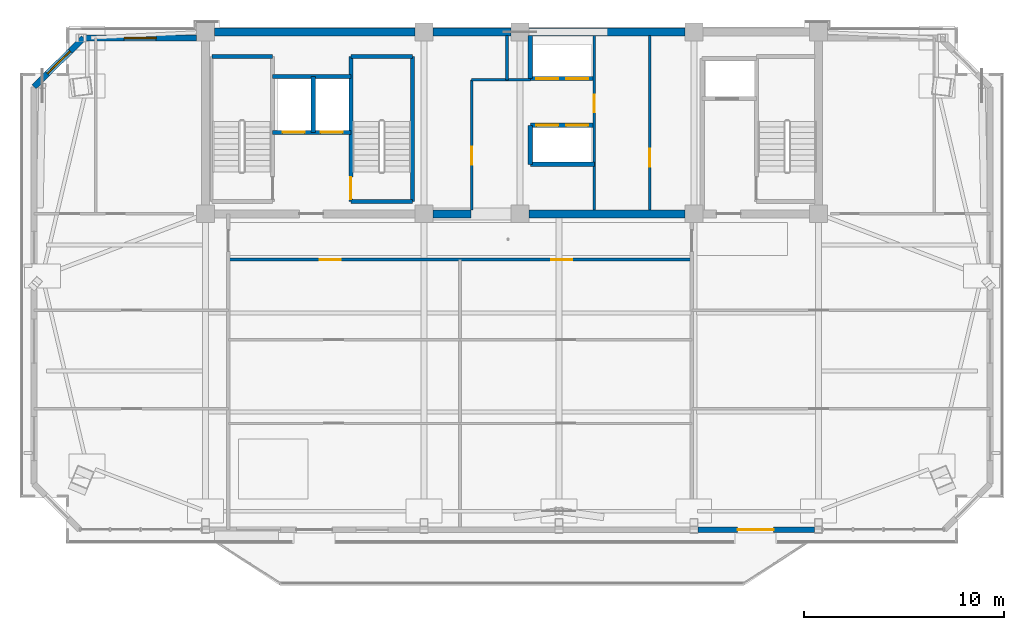
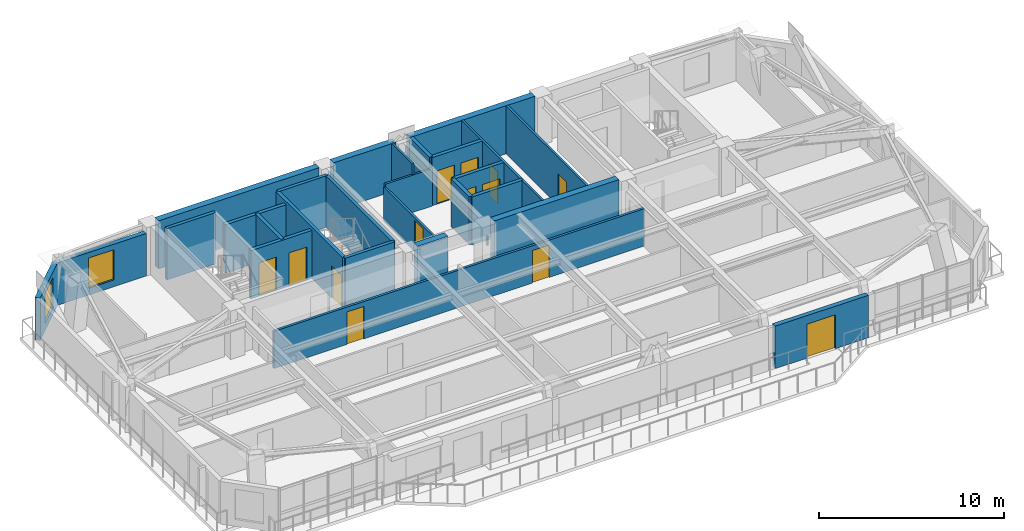
# One storey, part 7 of 13: 27 walls, 13 doors, 2 windows, 15 openings.
"""IFC4 building model written with IfcOpenShell, lengths in metres."""

from ifc_helpers import new_model, si_unit, direction, frame, frame_2d, origin, place, context, subcontext, project, spatial, rectangle, extrude, source, transform, mapped, material, layer, layer_set, type_object, element, fill, save


model = new_model("IFC4")

# Units and contexts
model_context = context("Model", 3, precision=1e-05, world=origin(), true_north=direction((0.0, 1.0)))
body_context = subcontext(model_context, "Body", "Model", "MODEL_VIEW")
ifc_project = project(units=[si_unit("LENGTHUNIT", "METRE"), si_unit("AREAUNIT", "SQUARE_METRE"), si_unit("VOLUMEUNIT", "CUBIC_METRE"), si_unit("PLANEANGLEUNIT", "RADIAN"), si_unit("MASSUNIT", "GRAM", prefix="KILO")], contexts=[model_context])

# Site, building, storey
site_placement = place(None, origin())
site = spatial("IfcSite", under=ifc_project, at=site_placement, CompositionType="ELEMENT")
building_placement = place(site_placement, origin())
building = spatial("IfcBuilding", under=site, at=building_placement, Name="Giltprow Tower", CompositionType="ELEMENT")
storey_placement = place(building_placement, frame((0.0, 0.0, 332.300048828125)))
storey = spatial("IfcBuildingStorey", under=building, at=storey_placement, Name="L86", CompositionType="ELEMENT", Elevation=332.300048828125)

# Wall, opening, window
ifc_material_1 = material(Name="Precast concrete C40", Category="concrete")
ifc_layer_1 = layer(ifc_material_1, 0.300048828125, Name="Precast concrete C40")
ifc_layer_set_1 = layer_set([ifc_layer_1], Name="Precast concrete C40")
wall_type_1 = type_object("IfcWallType", Name="EW-NOTCH-CHAMFER-300", PredefinedType="SOLIDWALL", material=ifc_layer_set_1)
wall_1_placement = place(storey_placement, frame((13.761962890625, 46.25, 0.0), z_axis=(0.0, 0.0, 1.0), x_axis=(-0.714242921934, -0.699897884314, 0.0)))
wall_1 = element("IfcWall", 1, at=wall_1_placement, inside=storey, type_object=wall_type_1, Name="L86 Corner Notch Wall NW", PredefinedType="SOLIDWALL", context=body_context, shape_type="SweptSolid", body=[
    extrude(rectangle(XDim=3.489013671875, YDim=0.300048828125, at=frame_2d((1.74462890625, 0.0))), origin(), (0.0, 0.0, 1.0), 2.81494140625),
])
opening_1_placement = place(wall_1_placement, frame((0.945068359375, 0.0, 0.449951171875)))
opening_1 = element("IfcOpeningElement", 2, at=opening_1_placement, cuts=wall_1, Name="Opening WN17", PredefinedType="OPENING", context=body_context, shape_type="SweptSolid", body=[
    extrude(rectangle(XDim=1.60009765625, YDim=2.0, at=frame_2d((0.800048828125, 1.0))), frame((0.0, 0.159912109375, 0.0), z_axis=(0.0, -1.0, 0.0), x_axis=(1.0, 0.0, 0.0)), (0.0, 0.0, 1.0), 0.320068359375),
])
ifc_material_2 = material(Name="Insulated glass", Category="glass")
window_type = type_object("IfcWindowType", Name="WN-COR-1600x2000", PartitioningType="SINGLE_PANEL", PredefinedType="WINDOW", material=ifc_material_2)
shared_shape_1 = source(origin(), body_context, "Body", "SweptSolid", [
    extrude(rectangle(XDim=1.60009765625, YDim=2.0, at=frame_2d((0.800048828125, 1.0))), frame((0.0, 0.030029296875, 0.0), z_axis=(0.0, -1.0, 0.0), x_axis=(1.0, 0.0, 0.0)), (0.0, 0.0, 1.0), 0.06005859375),
])
window_1_placement = place(opening_1_placement, origin())
window_1 = element("IfcWindow", 3, at=window_1_placement, inside=storey, type_object=window_type, Name="L86 Corner Notch Window NW", OverallHeight=2.0, OverallWidth=1.60009765625, PartitioningType="SINGLE_PANEL", PredefinedType="WINDOW", context=body_context, shape_type="MappedRepresentation", body=[
    mapped(shared_shape_1, transform((0.0, 0.0, 0.0), x_axis=(1.0, 0.0, 0.0), y_axis=(0.0, 1.0, 0.0), z_axis=(0.0, 0.0, 1.0), scale=1.0)),
])
fill(opening_1, window_1)

# Wall, opening, door
ifc_layer_2 = layer(ifc_material_1, 0.280029296875, Name="Precast concrete C40")
ifc_layer_set_2 = layer_set([ifc_layer_2], Name="Precast concrete C40")
wall_type_2 = type_object("IfcWallType", Name="EW-TOW-BRONZE-280", PredefinedType="SOLIDWALL", material=ifc_layer_set_2)
wall_2_placement = place(storey_placement, frame((44.5, 21.635986328125, 0.0), z_axis=(0.0, 0.0, 1.0), x_axis=(1.0, 0.0, 0.0)))
wall_2 = element("IfcWall", 4, at=wall_2_placement, inside=storey, type_object=wall_type_2, Name="L86 South Expressed Frame Wall 5", PredefinedType="SOLIDWALL", context=body_context, shape_type="SweptSolid", body=[
    extrude(rectangle(XDim=5.85009765625, YDim=0.280029296875, at=frame_2d((2.925048828125, 0.0))), origin(), (0.0, 0.0, 1.0), 2.81494140625),
])
opening_2_placement = place(wall_2_placement, frame((2.0, 0.0, 0.0)))
opening_2 = element("IfcOpeningElement", 5, at=opening_2_placement, cuts=wall_2, Name="Opening ED25", PredefinedType="OPENING", context=body_context, shape_type="SweptSolid", body=[
    extrude(rectangle(XDim=1.800048828125, YDim=2.25, at=frame_2d((0.89990234375, 1.125))), frame((0.0, 0.14990234375, 0.0), z_axis=(0.0, -1.0, 0.0), x_axis=(1.0, 0.0, 0.0)), (0.0, 0.0, 1.0), 0.300048828125),
])
ifc_material_3 = material(Name="Anodized bronze and glass", Category="glass")
door_type_1 = type_object("IfcDoorType", Name="DR-BALC-SLIDE-1800", OperationType="SLIDING_TO_LEFT", PredefinedType="DOOR", material=ifc_material_3)
shared_shape_2 = source(origin(), body_context, "Body", "SweptSolid", [
    extrude(rectangle(XDim=1.800048828125, YDim=2.25, at=frame_2d((0.89990234375, 1.125))), frame((0.0, 0.02490234375, 0.0), z_axis=(0.0, -1.0, 0.0), x_axis=(1.0, 0.0, 0.0)), (0.0, 0.0, 1.0), 0.050048828125),
])
door_1_placement = place(opening_2_placement, origin())
door_1 = element("IfcDoor", 6, at=door_1_placement, inside=storey, type_object=door_type_1, Name="L86 Waterfront Balcony Sliding Door 2", OperationType="SLIDING_TO_LEFT", OverallHeight=2.25, OverallWidth=1.800048828125, PredefinedType="DOOR", context=body_context, shape_type="MappedRepresentation", body=[
    mapped(shared_shape_2, transform((0.0, 0.0, 0.0), x_axis=(1.0, 0.0, 0.0), y_axis=(0.0, 1.0, 0.0), z_axis=(0.0, 0.0, 1.0), scale=1.0)),
])
fill(opening_2, door_1)

# Wall, opening, window
wall_3_placement = place(storey_placement, frame((13.761962890625, 46.25, 0.0), z_axis=(0.0, 0.0, 1.0), x_axis=(1.0, 0.0, 0.0)))
wall_3 = element("IfcWall", 7, at=wall_3_placement, inside=storey, type_object=wall_type_2, Name="L86 North-West Wing Wall", PredefinedType="SOLIDWALL", context=body_context, shape_type="SweptSolid", body=[
    extrude(rectangle(XDim=5.637939453125, YDim=0.280029296875, at=frame_2d((2.81884765625, 0.0))), origin(), (0.0, 0.0, 1.0), 2.81494140625),
])
opening_3_placement = place(wall_3_placement, frame((2.01904296875, 0.0, 0.449951171875)))
opening_3 = element("IfcOpeningElement", 8, at=opening_3_placement, cuts=wall_3, Name="Opening WN17", PredefinedType="OPENING", context=body_context, shape_type="SweptSolid", body=[
    extrude(rectangle(XDim=1.60009765625, YDim=2.0, at=frame_2d((0.800048828125, 1.0))), frame((0.0, 0.14990234375, 0.0), z_axis=(0.0, -1.0, 0.0), x_axis=(1.0, 0.0, 0.0)), (0.0, 0.0, 1.0), 0.300048828125),
])
window_2_placement = place(opening_3_placement, origin())
window_2 = element("IfcWindow", 9, at=window_2_placement, inside=storey, type_object=window_type, Name="L86 North-West Window", OverallHeight=2.0, OverallWidth=1.60009765625, PartitioningType="SINGLE_PANEL", PredefinedType="WINDOW", context=body_context, shape_type="MappedRepresentation", body=[
    mapped(shared_shape_1, transform((0.0, 0.0, 0.0), x_axis=(1.0, 0.0, 0.0), y_axis=(0.0, 1.0, 0.0), z_axis=(0.0, 0.0, 1.0), scale=1.0)),
])
fill(opening_3, window_2)

# Wall, openings, doors
ifc_material_4 = material(Name="Gypsum stud partition", Category="gypsum")
ifc_layer_3 = layer(ifc_material_4, 0.14990234375, Name="Gypsum stud partition")
ifc_layer_set_3 = layer_set([ifc_layer_3], Name="Gypsum stud partition")
wall_type_3 = type_object("IfcWallType", Name="IW-CORR-150", PredefinedType="PARTITIONING", material=ifc_layer_set_3)
wall_4_placement = place(storey_placement, frame((21.0, 35.14990234375, 0.0), z_axis=(0.0, 0.0, 1.0), x_axis=(1.0, 0.0, 0.0)))
wall_4 = element("IfcWall", 10, at=wall_4_placement, inside=storey, type_object=wall_type_3, Name="L86 Residence Gallery Corridor Wall", PredefinedType="PARTITIONING", context=body_context, shape_type="SweptSolid", body=[
    extrude(rectangle(XDim=23.199951171875, YDim=0.14990234375, at=frame_2d((11.60009765625, 0.0))), origin(), (0.0, 0.0, 1.0), 2.469970703125),
])
opening_4_placement = place(wall_4_placement, frame((4.576904296875, 0.0, 0.0)))
opening_4 = element("IfcOpeningElement", 11, at=opening_4_placement, cuts=wall_4, Name="Opening ID31", PredefinedType="OPENING", context=body_context, shape_type="SweptSolid", body=[
    extrude(rectangle(XDim=1.050048828125, YDim=2.14990234375, at=frame_2d((0.52490234375, 1.074951171875))), frame((0.0, 0.0849609375, 0.0), z_axis=(0.0, -1.0, 0.0), x_axis=(1.0, 0.0, 0.0)), (0.0, 0.0, 1.0), 0.169921875),
])
opening_5_placement = place(wall_4_placement, frame((16.177001953125, 0.0, 0.0)))
opening_5 = element("IfcOpeningElement", 12, at=opening_5_placement, cuts=wall_4, Name="Opening ID31", PredefinedType="OPENING", context=body_context, shape_type="SweptSolid", body=[
    extrude(rectangle(XDim=1.050048828125, YDim=2.14990234375, at=frame_2d((0.52490234375, 1.074951171875))), frame((0.0, 0.0849609375, 0.0), z_axis=(0.0, -1.0, 0.0), x_axis=(1.0, 0.0, 0.0)), (0.0, 0.0, 1.0), 0.169921875),
])
ifc_material_5 = material(Name="Engineered timber", Category="wood")
door_type_2 = type_object("IfcDoorType", Name="DR-SUITE-1050", OperationType="SINGLE_SWING_LEFT", PredefinedType="DOOR", material=ifc_material_5)
shared_shape_3 = source(origin(), body_context, "Body", "SweptSolid", [
    extrude(rectangle(XDim=1.050048828125, YDim=2.14990234375, at=frame_2d((0.52490234375, 1.074951171875))), frame((0.0, 0.02490234375, 0.0), z_axis=(0.0, -1.0, 0.0), x_axis=(1.0, 0.0, 0.0)), (0.0, 0.0, 1.0), 0.050048828125),
])
door_2_placement = place(opening_4_placement, origin())
door_2 = element("IfcDoor", 13, at=door_2_placement, inside=storey, type_object=door_type_2, Name="L86 Residents Sky Club Lounge North Door", OperationType="SINGLE_SWING_LEFT", OverallHeight=2.14990234375, OverallWidth=1.050048828125, PredefinedType="DOOR", context=body_context, shape_type="MappedRepresentation", body=[
    mapped(shared_shape_3, transform((0.0, 0.0, 0.0), x_axis=(1.0, 0.0, 0.0), y_axis=(0.0, 1.0, 0.0), z_axis=(0.0, 0.0, 1.0), scale=1.0)),
])
fill(opening_4, door_2)
door_3_placement = place(opening_5_placement, origin())
door_3 = element("IfcDoor", 14, at=door_3_placement, inside=storey, type_object=door_type_2, Name="L86 Residents Sky Club Lounge North Door", OperationType="SINGLE_SWING_RIGHT", OverallHeight=2.14990234375, OverallWidth=1.050048828125, PredefinedType="DOOR", context=body_context, shape_type="MappedRepresentation", body=[
    mapped(shared_shape_3, transform((0.0, 0.0, 0.0), x_axis=(1.0, 0.0, 0.0), y_axis=(0.0, 1.0, 0.0), z_axis=(0.0, 0.0, 1.0), scale=1.0)),
])
fill(opening_5, door_3)

ifc_material_6 = material(Name="Concrete C40", Category="concrete")
ifc_layer_4 = layer(ifc_material_6, 0.219970703125, Name="Concrete C40")
ifc_layer_set_4 = layer_set([ifc_layer_4], Name="Concrete C40")
wall_type_4 = type_object("IfcWallType", Name="IW-SHAFT-220", PredefinedType="SOLIDWALL", material=ifc_layer_set_4)
wall_5_placement = place(storey_placement, frame((23.219970703125, 41.52001953125, 0.0), z_axis=(0.0, 0.0, 1.0), x_axis=(1.0, 0.0, 0.0)))
wall_5 = element("IfcWall", 15, at=wall_5_placement, inside=storey, type_object=wall_type_4, Name="L86 FFL1 and Service Lift Front Wall", PredefinedType="SOLIDWALL", context=body_context, shape_type="SweptSolid", body=[
    extrude(rectangle(XDim=3.919921875, YDim=0.219970703125, at=frame_2d((1.9599609375, 0.0))), origin(), (0.0, 0.0, 1.0), 3.18505859375),
])
opening_6_placement = place(wall_5_placement, frame((0.5, 0.0, 0.0)))
opening_6 = element("IfcOpeningElement", 16, at=opening_6_placement, cuts=wall_5, Name="Opening LD-11", PredefinedType="OPENING", context=body_context, shape_type="SweptSolid", body=[
    extrude(rectangle(XDim=1.10009765625, YDim=2.199951171875, at=frame_2d((0.550048828125, 1.10009765625))), frame((0.0, 0.119873046875, 0.0), z_axis=(0.0, -1.0, 0.0), x_axis=(1.0, 0.0, 0.0)), (0.0, 0.0, 1.0), 0.239990234375),
])
opening_7_placement = place(wall_5_placement, frame((2.39990234375, 0.0, 0.0)))
opening_7 = element("IfcOpeningElement", 17, at=opening_7_placement, cuts=wall_5, Name="Opening LD-11", PredefinedType="OPENING", context=body_context, shape_type="SweptSolid", body=[
    extrude(rectangle(XDim=1.10009765625, YDim=2.199951171875, at=frame_2d((0.550048828125, 1.10009765625))), frame((0.0, 0.119873046875, 0.0), z_axis=(0.0, -1.0, 0.0), x_axis=(1.0, 0.0, 0.0)), (0.0, 0.0, 1.0), 0.239990234375),
])
ifc_material_7 = material(Name="Stainless steel", Category="steel")
door_type_3 = type_object("IfcDoorType", Name="DR-LIFT-LD1100", OperationType="SLIDING_TO_LEFT", PredefinedType="DOOR", material=ifc_material_7)
shared_shape_4 = source(origin(), body_context, "Body", "SweptSolid", [
    extrude(rectangle(XDim=1.10009765625, YDim=2.199951171875, at=frame_2d((0.550048828125, 1.10009765625))), frame((0.0, 0.02490234375, 0.0), z_axis=(0.0, -1.0, 0.0), x_axis=(1.0, 0.0, 0.0)), (0.0, 0.0, 1.0), 0.050048828125),
])
door_4_placement = place(opening_6_placement, origin())
door_4 = element("IfcDoor", 18, at=door_4_placement, inside=storey, type_object=door_type_3, Name="L86 FFL1 Landing Door", OperationType="SLIDING_TO_LEFT", OverallHeight=2.199951171875, OverallWidth=1.10009765625, PredefinedType="DOOR", context=body_context, shape_type="MappedRepresentation", body=[
    mapped(shared_shape_4, transform((0.0, 0.0, 0.0), x_axis=(1.0, 0.0, 0.0), y_axis=(0.0, 1.0, 0.0), z_axis=(0.0, 0.0, 1.0), scale=1.0)),
])
fill(opening_6, door_4)
door_5_placement = place(opening_7_placement, origin())
door_5 = element("IfcDoor", 19, at=door_5_placement, inside=storey, type_object=door_type_3, Name="L86 SVL1 Landing Door", OperationType="SLIDING_TO_LEFT", OverallHeight=2.199951171875, OverallWidth=1.10009765625, PredefinedType="DOOR", context=body_context, shape_type="MappedRepresentation", body=[
    mapped(shared_shape_4, transform((0.0, 0.0, 0.0), x_axis=(1.0, 0.0, 0.0), y_axis=(0.0, 1.0, 0.0), z_axis=(0.0, 0.0, 1.0), scale=1.0)),
])
fill(opening_7, door_5)

# Walls
wall_6_placement = place(storey_placement, frame((25.260009765625, 41.52001953125, 0.0), z_axis=(0.0, 0.0, 1.0), x_axis=(0.0, 1.0, 0.0)))
element("IfcWall", 20, at=wall_6_placement, inside=storey, type_object=wall_type_4, Name="L86 FFL1-SVL1 Shaft Divider", PredefinedType="SOLIDWALL", context=body_context, shape_type="SweptSolid", body=[
    extrude(rectangle(XDim=2.800048828125, YDim=0.219970703125, at=frame_2d((1.39990234375, 0.0))), origin(), (0.0, 0.0, 1.0), 3.18505859375),
])
wall_7_placement = place(storey_placement, frame((23.219970703125, 44.320068359375, 0.0), z_axis=(0.0, 0.0, 1.0), x_axis=(1.0, 0.0, 0.0)))
element("IfcWall", 21, at=wall_7_placement, inside=storey, type_object=wall_type_4, Name="L86 FFL1-SVL1 Back Shaft Wall", PredefinedType="SOLIDWALL", context=body_context, shape_type="SweptSolid", body=[
    extrude(rectangle(XDim=3.919921875, YDim=0.219970703125, at=frame_2d((1.9599609375, 0.0))), origin(), (0.0, 0.0, 1.0), 3.18505859375),
])

# Wall, openings, doors
wall_8_placement = place(storey_placement, frame((36.1201171875, 44.219970703125, 0.0), z_axis=(0.0, 0.0, 1.0), x_axis=(1.0, 0.0, 0.0)))
wall_8 = element("IfcWall", 22, at=wall_8_placement, inside=storey, type_object=wall_type_4, Name="L86 High-Rise Lift Shaft Front Wall N", PredefinedType="SOLIDWALL", context=body_context, shape_type="SweptSolid", body=[
    extrude(rectangle(XDim=3.199951171875, YDim=0.219970703125, at=frame_2d((1.60009765625, 0.0))), origin(), (0.0, 0.0, 1.0), 3.18505859375),
])
opening_8_placement = place(wall_8_placement, frame((0.300048828125, 0.0, 0.0)))
opening_8 = element("IfcOpeningElement", 23, at=opening_8_placement, cuts=wall_8, Name="Opening LD-11", PredefinedType="OPENING", context=body_context, shape_type="SweptSolid", body=[
    extrude(rectangle(XDim=1.10009765625, YDim=2.199951171875, at=frame_2d((0.550048828125, 1.10009765625))), frame((0.0, 0.119873046875, 0.0), z_axis=(0.0, -1.0, 0.0), x_axis=(1.0, 0.0, 0.0)), (0.0, 0.0, 1.0), 0.239990234375),
])
opening_9_placement = place(wall_8_placement, frame((1.7900390625, 0.0, 0.0)))
opening_9 = element("IfcOpeningElement", 24, at=opening_9_placement, cuts=wall_8, Name="Opening LD-11", PredefinedType="OPENING", context=body_context, shape_type="SweptSolid", body=[
    extrude(rectangle(XDim=1.10009765625, YDim=2.199951171875, at=frame_2d((0.550048828125, 1.10009765625))), frame((0.0, 0.119873046875, 0.0), z_axis=(0.0, -1.0, 0.0), x_axis=(1.0, 0.0, 0.0)), (0.0, 0.0, 1.0), 0.239990234375),
])
door_6_placement = place(opening_8_placement, origin())
door_6 = element("IfcDoor", 25, at=door_6_placement, inside=storey, type_object=door_type_3, Name="L86 PL-H1 Landing Door", OperationType="SLIDING_TO_LEFT", OverallHeight=2.199951171875, OverallWidth=1.10009765625, PredefinedType="DOOR", context=body_context, shape_type="MappedRepresentation", body=[
    mapped(shared_shape_4, transform((0.0, 0.0, 0.0), x_axis=(1.0, 0.0, 0.0), y_axis=(0.0, 1.0, 0.0), z_axis=(0.0, 0.0, 1.0), scale=1.0)),
])
fill(opening_8, door_6)
door_7_placement = place(opening_9_placement, origin())
door_7 = element("IfcDoor", 26, at=door_7_placement, inside=storey, type_object=door_type_3, Name="L86 PL-H2 Landing Door", OperationType="SLIDING_TO_LEFT", OverallHeight=2.199951171875, OverallWidth=1.10009765625, PredefinedType="DOOR", context=body_context, shape_type="MappedRepresentation", body=[
    mapped(shared_shape_4, transform((0.0, 0.0, 0.0), x_axis=(1.0, 0.0, 0.0), y_axis=(0.0, 1.0, 0.0), z_axis=(0.0, 0.0, 1.0), scale=1.0)),
])
fill(opening_9, door_7)

wall_9_placement = place(storey_placement, frame((36.1201171875, 41.8798828125, 0.0), z_axis=(0.0, 0.0, 1.0), x_axis=(1.0, 0.0, 0.0)))
wall_9 = element("IfcWall", 27, at=wall_9_placement, inside=storey, type_object=wall_type_4, Name="L86 High-Rise Lift Shaft Front Wall S", PredefinedType="SOLIDWALL", context=body_context, shape_type="SweptSolid", body=[
    extrude(rectangle(XDim=3.199951171875, YDim=0.219970703125, at=frame_2d((1.60009765625, 0.0))), origin(), (0.0, 0.0, 1.0), 3.18505859375),
])
opening_10_placement = place(wall_9_placement, frame((0.300048828125, 0.0, 0.0)))
opening_10 = element("IfcOpeningElement", 28, at=opening_10_placement, cuts=wall_9, Name="Opening LD-11", PredefinedType="OPENING", context=body_context, shape_type="SweptSolid", body=[
    extrude(rectangle(XDim=1.10009765625, YDim=2.199951171875, at=frame_2d((0.550048828125, 1.10009765625))), frame((0.0, 0.119873046875, 0.0), z_axis=(0.0, -1.0, 0.0), x_axis=(1.0, 0.0, 0.0)), (0.0, 0.0, 1.0), 0.239990234375),
])
opening_11_placement = place(wall_9_placement, frame((1.7900390625, 0.0, 0.0)))
opening_11 = element("IfcOpeningElement", 29, at=opening_11_placement, cuts=wall_9, Name="Opening LD-11", PredefinedType="OPENING", context=body_context, shape_type="SweptSolid", body=[
    extrude(rectangle(XDim=1.10009765625, YDim=2.199951171875, at=frame_2d((0.550048828125, 1.10009765625))), frame((0.0, 0.119873046875, 0.0), z_axis=(0.0, -1.0, 0.0), x_axis=(1.0, 0.0, 0.0)), (0.0, 0.0, 1.0), 0.239990234375),
])
door_8_placement = place(opening_10_placement, origin())
door_8 = element("IfcDoor", 30, at=door_8_placement, inside=storey, type_object=door_type_3, Name="L86 PL-H3 Landing Door", OperationType="SLIDING_TO_LEFT", OverallHeight=2.199951171875, OverallWidth=1.10009765625, PredefinedType="DOOR", context=body_context, shape_type="MappedRepresentation", body=[
    mapped(shared_shape_4, transform((0.0, 0.0, 0.0), x_axis=(1.0, 0.0, 0.0), y_axis=(0.0, 1.0, 0.0), z_axis=(0.0, 0.0, 1.0), scale=1.0)),
])
fill(opening_10, door_8)
door_9_placement = place(opening_11_placement, origin())
door_9 = element("IfcDoor", 31, at=door_9_placement, inside=storey, type_object=door_type_3, Name="L86 PL-H4 Landing Door", OperationType="SLIDING_TO_LEFT", OverallHeight=2.199951171875, OverallWidth=1.10009765625, PredefinedType="DOOR", context=body_context, shape_type="MappedRepresentation", body=[
    mapped(shared_shape_4, transform((0.0, 0.0, 0.0), x_axis=(1.0, 0.0, 0.0), y_axis=(0.0, 1.0, 0.0), z_axis=(0.0, 0.0, 1.0), scale=1.0)),
])
fill(opening_11, door_9)

# Walls
wall_10_placement = place(storey_placement, frame((36.1201171875, 39.919921875, 0.0), z_axis=(0.0, 0.0, 1.0), x_axis=(1.0, 0.0, 0.0)))
element("IfcWall", 32, at=wall_10_placement, inside=storey, type_object=wall_type_4, Name="L86 High-Rise South Lift Back Wall", PredefinedType="SOLIDWALL", context=body_context, shape_type="SweptSolid", body=[
    extrude(rectangle(XDim=3.199951171875, YDim=0.219970703125, at=frame_2d((1.60009765625, 0.0))), origin(), (0.0, 0.0, 1.0), 3.18505859375),
])
wall_11_placement = place(storey_placement, frame((36.1201171875, 39.919921875, 0.0), z_axis=(0.0, 0.0, 1.0), x_axis=(0.0, 1.0, 0.0)))
element("IfcWall", 33, at=wall_11_placement, inside=storey, type_object=wall_type_4, Name="L86 High-Rise South Lift West Closure", PredefinedType="SOLIDWALL", context=body_context, shape_type="SweptSolid", body=[
    extrude(rectangle(XDim=1.9599609375, YDim=0.219970703125, at=frame_2d((0.97998046875, 0.0))), origin(), (0.0, 0.0, 1.0), 3.18505859375),
])
wall_12_placement = place(storey_placement, frame((36.1201171875, 44.219970703125, 0.0), z_axis=(0.0, 0.0, 1.0), x_axis=(0.0, 1.0, 0.0)))
element("IfcWall", 34, at=wall_12_placement, inside=storey, type_object=wall_type_4, Name="L86 High-Rise North Lift West Closure", PredefinedType="SOLIDWALL", context=body_context, shape_type="SweptSolid", body=[
    extrude(rectangle(XDim=2.150146484375, YDim=0.219970703125, at=frame_2d((1.0751953125, 0.0))), origin(), (0.0, 0.0, 1.0), 3.18505859375),
])
ifc_layer_5 = layer(ifc_material_6, 0.199951171875, Name="Concrete C40")
ifc_layer_set_5 = layer_set([ifc_layer_5], Name="Concrete C40")
wall_type_5 = type_object("IfcWallType", Name="IW-STAIR-200", PredefinedType="SOLIDWALL", material=ifc_layer_set_5)
wall_13_placement = place(storey_placement, frame((20.169921875, 45.320068359375, 0.0), z_axis=(0.0, 0.0, 1.0), x_axis=(1.0, 0.0, 0.0)))
element("IfcWall", 35, at=wall_13_placement, inside=storey, type_object=wall_type_5, Name="L86 Stair ST-1 North Bearing Wall", PredefinedType="SOLIDWALL", context=body_context, shape_type="SweptSolid", body=[
    extrude(rectangle(XDim=3.050048828125, YDim=0.199951171875, at=frame_2d((1.52490234375, 0.0))), origin(), (0.0, 0.0, 1.0), 3.39990234375),
])

# Wall, opening, door
wall_14_placement = place(storey_placement, frame((27.139892578125, 38.070068359375, 0.0), z_axis=(0.0, 0.0, 1.0), x_axis=(0.0, 1.0, 0.0)))
wall_14 = element("IfcWall", 36, at=wall_14_placement, inside=storey, type_object=wall_type_5, Name="L86 Stair ST-2 West Bearing Wall", PredefinedType="SOLIDWALL", context=body_context, shape_type="SweptSolid", body=[
    extrude(rectangle(XDim=7.25, YDim=0.199951171875, at=frame_2d((3.625, 0.0))), origin(), (0.0, 0.0, 1.0), 3.39990234375),
])
opening_12_placement = place(wall_14_placement, frame((0.110107421875, 0.0, 0.0)))
opening_12 = element("IfcOpeningElement", 37, at=opening_12_placement, cuts=wall_14, Name="Opening ID33", PredefinedType="OPENING", context=body_context, shape_type="SweptSolid", body=[
    extrude(rectangle(XDim=1.10009765625, YDim=2.14990234375, at=frame_2d((0.550048828125, 1.074951171875))), frame((0.0, 0.10986328125, 0.0), z_axis=(0.0, -1.0, 0.0), x_axis=(1.0, 0.0, 0.0)), (0.0, 0.0, 1.0), 0.219970703125),
])
ifc_material_8 = material(Name="Steel fire leaf", Category="steel")
door_type_4 = type_object("IfcDoorType", Name="DR-STAIR-1100", OperationType="SINGLE_SWING_LEFT", PredefinedType="DOOR", material=ifc_material_8)
shared_shape_5 = source(origin(), body_context, "Body", "SweptSolid", [
    extrude(rectangle(XDim=1.10009765625, YDim=2.14990234375, at=frame_2d((0.550048828125, 1.074951171875))), frame((0.0, 0.02490234375, 0.0), z_axis=(0.0, -1.0, 0.0), x_axis=(1.0, 0.0, 0.0)), (0.0, 0.0, 1.0), 0.050048828125),
])
door_10_placement = place(opening_12_placement, origin())
door_10 = element("IfcDoor", 38, at=door_10_placement, inside=storey, type_object=door_type_4, Name="L86 Stair ST-2 Fire Door", OperationType="SINGLE_SWING_LEFT", OverallHeight=2.14990234375, OverallWidth=1.10009765625, PredefinedType="DOOR", context=body_context, shape_type="MappedRepresentation", body=[
    mapped(shared_shape_5, transform((0.0, 0.0, 0.0), x_axis=(1.0, 0.0, 0.0), y_axis=(0.0, 1.0, 0.0), z_axis=(0.0, 0.0, 1.0), scale=1.0)),
])
fill(opening_12, door_10)

# Walls
wall_15_placement = place(storey_placement, frame((30.219970703125, 38.070068359375, 0.0), z_axis=(0.0, 0.0, 1.0), x_axis=(0.0, 1.0, 0.0)))
element("IfcWall", 39, at=wall_15_placement, inside=storey, type_object=wall_type_5, Name="L86 Stair ST-2 East Bearing Wall", PredefinedType="SOLIDWALL", context=body_context, shape_type="SweptSolid", body=[
    extrude(rectangle(XDim=7.25, YDim=0.199951171875, at=frame_2d((3.625, 0.0))), origin(), (0.0, 0.0, 1.0), 3.39990234375),
])
for number, where, z_axis, x_axis, name in (
    (40, (27.139892578125, 45.320068359375, 0.0), (0.0, 0.0, 1.0), (1.0, 0.0, 0.0), "L86 Stair ST-2 North Bearing Wall"),
    (41, (27.139892578125, 38.070068359375, 0.0), (0.0, 0.0, 1.0), (1.0, 0.0, 0.0), "L86 Stair ST-2 South Bearing Wall"),
):
    element("IfcWall", number, at=place(storey_placement, frame(where, z_axis=z_axis, x_axis=x_axis)), inside=storey, type_object=wall_type_5, Name=name, PredefinedType="SOLIDWALL", context=body_context, shape_type="SweptSolid", body=[
        extrude(rectangle(XDim=3.080078125, YDim=0.199951171875, at=frame_2d((1.5400390625, 0.0))), origin(), (0.0, 0.0, 1.0), 3.39990234375),
    ])

# Wall, opening, door
ifc_material_9 = material(Name="Concrete C30", Category="concrete")
ifc_layer_6 = layer(ifc_material_9, 0.1298828125, Name="Concrete C30")
ifc_layer_set_6 = layer_set([ifc_layer_6], Name="Concrete C30")
wall_type_6 = type_object("IfcWallType", Name="IW-WET-130", PredefinedType="PARTITIONING", material=ifc_layer_set_6)
wall_16_placement = place(storey_placement, frame((33.179931640625, 37.6298828125, 0.0), z_axis=(0.0, 0.0, 1.0), x_axis=(0.0, 1.0, 0.0)))
wall_16 = element("IfcWall", 42, at=wall_16_placement, inside=storey, type_object=wall_type_6, Name="L86 Reclaimed West Core Wall", PredefinedType="PARTITIONING", context=body_context, shape_type="SweptSolid", body=[
    extrude(rectangle(XDim=6.52001953125, YDim=0.1298828125, at=frame_2d((3.260009765625, 0.0))), origin(), (0.0, 0.0, 1.0), 2.27001953125),
])
opening_13_placement = place(wall_16_placement, frame((2.27001953125, 0.0, 0.0)))
opening_13 = element("IfcOpeningElement", 43, at=opening_13_placement, cuts=wall_16, Name="Opening ID35", PredefinedType="OPENING", context=body_context, shape_type="SweptSolid", body=[
    extrude(rectangle(XDim=0.89990234375, YDim=2.10009765625, at=frame_2d((0.449951171875, 1.050048828125))), frame((0.0, 0.074951171875, 0.0), z_axis=(0.0, -1.0, 0.0), x_axis=(1.0, 0.0, 0.0)), (0.0, 0.0, 1.0), 0.14990234375),
])
door_type_5 = type_object("IfcDoorType", Name="DR-SHAFT-900", OperationType="SINGLE_SWING_LEFT", PredefinedType="DOOR", material=ifc_material_8)
shared_shape_6 = source(origin(), body_context, "Body", "SweptSolid", [
    extrude(rectangle(XDim=0.89990234375, YDim=2.10009765625, at=frame_2d((0.449951171875, 1.050048828125))), frame((0.0, 0.02490234375, 0.0), z_axis=(0.0, -1.0, 0.0), x_axis=(1.0, 0.0, 0.0)), (0.0, 0.0, 1.0), 0.050048828125),
])
door_11_placement = place(opening_13_placement, origin())
door_11 = element("IfcDoor", 44, at=door_11_placement, inside=storey, type_object=door_type_5, Name="L86 Core Staff Washroom Door", OperationType="SINGLE_SWING_LEFT", OverallHeight=2.10009765625, OverallWidth=0.89990234375, PredefinedType="DOOR", context=body_context, shape_type="MappedRepresentation", body=[
    mapped(shared_shape_6, transform((0.0, 0.0, 0.0), x_axis=(1.0, 0.0, 0.0), y_axis=(0.0, 1.0, 0.0), z_axis=(0.0, 0.0, 1.0), scale=1.0)),
])
fill(opening_13, door_11)

# Walls
wall_17_placement = place(storey_placement, frame((34.949951171875, 44.14990234375, 0.0), z_axis=(0.0, 0.0, 1.0), x_axis=(0.0, 1.0, 0.0)))
element("IfcWall", 45, at=wall_17_placement, inside=storey, type_object=wall_type_6, Name="L86 Reclaimed West Pocket Wall E", PredefinedType="PARTITIONING", context=body_context, shape_type="SweptSolid", body=[
    extrude(rectangle(XDim=2.22021484375, YDim=0.1298828125, at=frame_2d((1.110107421875, 0.0))), origin(), (0.0, 0.0, 1.0), 3.18505859375),
])
wall_18_placement = place(storey_placement, frame((33.179931640625, 44.14990234375, 0.0), z_axis=(0.0, 0.0, 1.0), x_axis=(1.0, 0.0, 0.0)))
element("IfcWall", 46, at=wall_18_placement, inside=storey, type_object=wall_type_6, Name="L86 Reclaimed West Pocket Wall S", PredefinedType="PARTITIONING", context=body_context, shape_type="SweptSolid", body=[
    extrude(rectangle(XDim=2.940185546875, YDim=0.1298828125, at=frame_2d((1.47021484375, 0.0))), origin(), (0.0, 0.0, 1.0), 2.469970703125),
])

# Wall, opening, door
wall_19_placement = place(storey_placement, frame((39.320068359375, 37.6298828125, 0.0), z_axis=(0.0, 0.0, 1.0), x_axis=(0.0, 1.0, 0.0)))
wall_19 = element("IfcWall", 47, at=wall_19_placement, inside=storey, type_object=wall_type_6, Name="L86 Reclaimed East Core Wall", PredefinedType="PARTITIONING", context=body_context, shape_type="SweptSolid", body=[
    extrude(rectangle(XDim=8.740234375, YDim=0.1298828125, at=frame_2d((4.3701171875, 0.0))), origin(), (0.0, 0.0, 1.0), 3.18505859375),
])
opening_14_placement = place(wall_19_placement, frame((4.889892578125, 0.0, 0.0)))
opening_14 = element("IfcOpeningElement", 48, at=opening_14_placement, cuts=wall_19, Name="Opening ID35", PredefinedType="OPENING", context=body_context, shape_type="SweptSolid", body=[
    extrude(rectangle(XDim=0.89990234375, YDim=2.10009765625, at=frame_2d((0.449951171875, 1.050048828125))), frame((0.0, 0.074951171875, 0.0), z_axis=(0.0, -1.0, 0.0), x_axis=(1.0, 0.0, 0.0)), (0.0, 0.0, 1.0), 0.14990234375),
])
door_12_placement = place(opening_14_placement, origin())
door_12 = element("IfcDoor", 49, at=door_12_placement, inside=storey, type_object=door_type_5, Name="L86 Core Laundry Room Door", OperationType="SINGLE_SWING_RIGHT", OverallHeight=2.10009765625, OverallWidth=0.89990234375, PredefinedType="DOOR", context=body_context, shape_type="MappedRepresentation", body=[
    mapped(shared_shape_6, transform((0.0, 0.0, 0.0), x_axis=(1.0, 0.0, 0.0), y_axis=(0.0, 1.0, 0.0), z_axis=(0.0, 0.0, 1.0), scale=1.0)),
])
fill(opening_14, door_12)

wall_20_placement = place(storey_placement, frame((42.10009765625, 37.6298828125, 0.0), z_axis=(0.0, 0.0, 1.0), x_axis=(0.0, 1.0, 0.0)))
wall_20 = element("IfcWall", 50, at=wall_20_placement, inside=storey, type_object=wall_type_6, Name="L86 East Core Vertical Divider", PredefinedType="PARTITIONING", context=body_context, shape_type="SweptSolid", body=[
    extrude(rectangle(XDim=8.740234375, YDim=0.1298828125, at=frame_2d((4.3701171875, 0.0))), origin(), (0.0, 0.0, 1.0), 3.18505859375),
])
opening_15_placement = place(wall_20_placement, frame((2.169921875, 0.0, 0.0)))
opening_15 = element("IfcOpeningElement", 51, at=opening_15_placement, cuts=wall_20, Name="Opening ID35", PredefinedType="OPENING", context=body_context, shape_type="SweptSolid", body=[
    extrude(rectangle(XDim=0.89990234375, YDim=2.10009765625, at=frame_2d((0.449951171875, 1.050048828125))), frame((0.0, 0.074951171875, 0.0), z_axis=(0.0, -1.0, 0.0), x_axis=(1.0, 0.0, 0.0)), (0.0, 0.0, 1.0), 0.14990234375),
])
door_13_placement = place(opening_15_placement, origin())
door_13 = element("IfcDoor", 52, at=door_13_placement, inside=storey, type_object=door_type_5, Name="L86 Core Trunk Room Inner Door", OperationType="SINGLE_SWING_LEFT", OverallHeight=2.10009765625, OverallWidth=0.89990234375, PredefinedType="DOOR", context=body_context, shape_type="MappedRepresentation", body=[
    mapped(shared_shape_6, transform((0.0, 0.0, 0.0), x_axis=(1.0, 0.0, 0.0), y_axis=(0.0, 1.0, 0.0), z_axis=(0.0, 0.0, 1.0), scale=1.0)),
])
fill(opening_15, door_13)

# Walls
ifc_material_10 = material(Name="Concrete C45", Category="concrete")
ifc_layer_7 = layer(ifc_material_10, 0.39990234375, Name="Concrete C45")
ifc_layer_set_7 = layer_set([ifc_layer_7], Name="Concrete C45")
wall_type_7 = type_object("IfcWallType", Name="SW-EXT-400-C45", PredefinedType="SHEAR", material=ifc_layer_set_7)
wall_21_placement = place(storey_placement, frame((20.300048828125, 46.550048828125, 0.0), z_axis=(0.0, 0.0, 1.0), x_axis=(1.0, 0.0, 0.0)))
element("IfcWall", 53, at=wall_21_placement, inside=storey, type_object=wall_type_7, Name="L86 North Rear Core Shear Wall 1", PredefinedType="SHEAR", context=body_context, shape_type="SweptSolid", body=[
    extrude(rectangle(XDim=10.050048828125, YDim=0.39990234375, at=frame_2d((5.02490234375, 0.0))), origin(), (0.0, 0.0, 1.0), 3.18505859375),
])
wall_22_placement = place(storey_placement, frame((31.25, 46.550048828125, 0.0), z_axis=(0.0, 0.0, 1.0), x_axis=(1.0, 0.0, 0.0)))
element("IfcWall", 54, at=wall_22_placement, inside=storey, type_object=wall_type_7, Name="L86 North Rear Core Shear Wall 2", PredefinedType="SHEAR", context=body_context, shape_type="SweptSolid", body=[
    extrude(rectangle(XDim=3.89990234375, YDim=0.39990234375, at=frame_2d((1.949951171875, 0.0))), origin(), (0.0, 0.0, 1.0), 3.18505859375),
])
wall_23_placement = place(storey_placement, frame((36.050048828125, 46.550048828125, 0.0), z_axis=(0.0, 0.0, 1.0), x_axis=(1.0, 0.0, 0.0)))
element("IfcWall", 55, at=wall_23_placement, inside=storey, type_object=wall_type_7, Name="L86 North Rear Core Shear Wall 3", PredefinedType="SHEAR", context=body_context, shape_type="SweptSolid", body=[
    extrude(rectangle(XDim=7.800048828125, YDim=0.39990234375, at=frame_2d((3.89990234375, 0.0))), origin(), (0.0, 0.0, 1.0), 3.18505859375),
])
ifc_layer_8 = layer(ifc_material_10, 0.39990234375, Name="Concrete C45")
ifc_layer_set_8 = layer_set([ifc_layer_8], Name="Concrete C45")
wall_type_8 = type_object("IfcWallType", Name="SW-INT-400-C45", PredefinedType="SHEAR", material=ifc_layer_set_8)
wall_24_placement = place(storey_placement, frame((31.25, 37.449951171875, 0.0), z_axis=(0.0, 0.0, 1.0), x_axis=(1.0, 0.0, 0.0)))
element("IfcWall", 56, at=wall_24_placement, inside=storey, type_object=wall_type_8, Name="L86 South Rear Core Shear Wall Mid-West", PredefinedType="SHEAR", context=body_context, shape_type="SweptSolid", body=[
    extrude(rectangle(XDim=1.89990234375, YDim=0.39990234375, at=frame_2d((0.949951171875, 0.0))), origin(), (0.0, 0.0, 1.0), 3.18505859375),
])
wall_25_placement = place(storey_placement, frame((36.050048828125, 37.449951171875, 0.0), z_axis=(0.0, 0.0, 1.0), x_axis=(1.0, 0.0, 0.0)))
element("IfcWall", 57, at=wall_25_placement, inside=storey, type_object=wall_type_8, Name="L86 South Rear Core Shear Wall Mid-East", PredefinedType="SHEAR", context=body_context, shape_type="SweptSolid", body=[
    extrude(rectangle(XDim=7.800048828125, YDim=0.39990234375, at=frame_2d((3.89990234375, 0.0))), origin(), (0.0, 0.0, 1.0), 3.18505859375),
])

save(model, "model.ifc")
